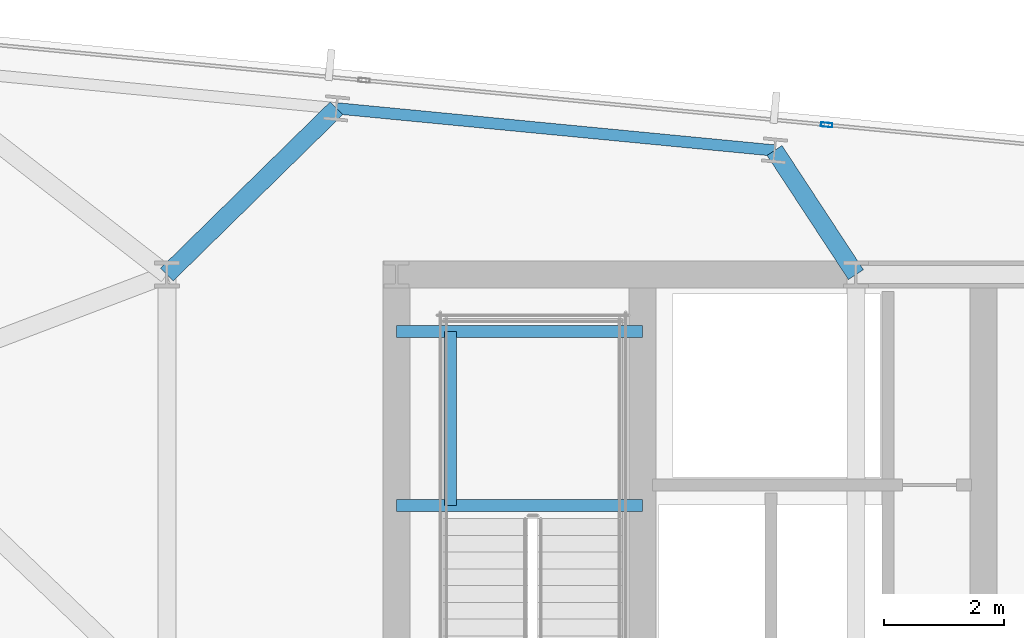
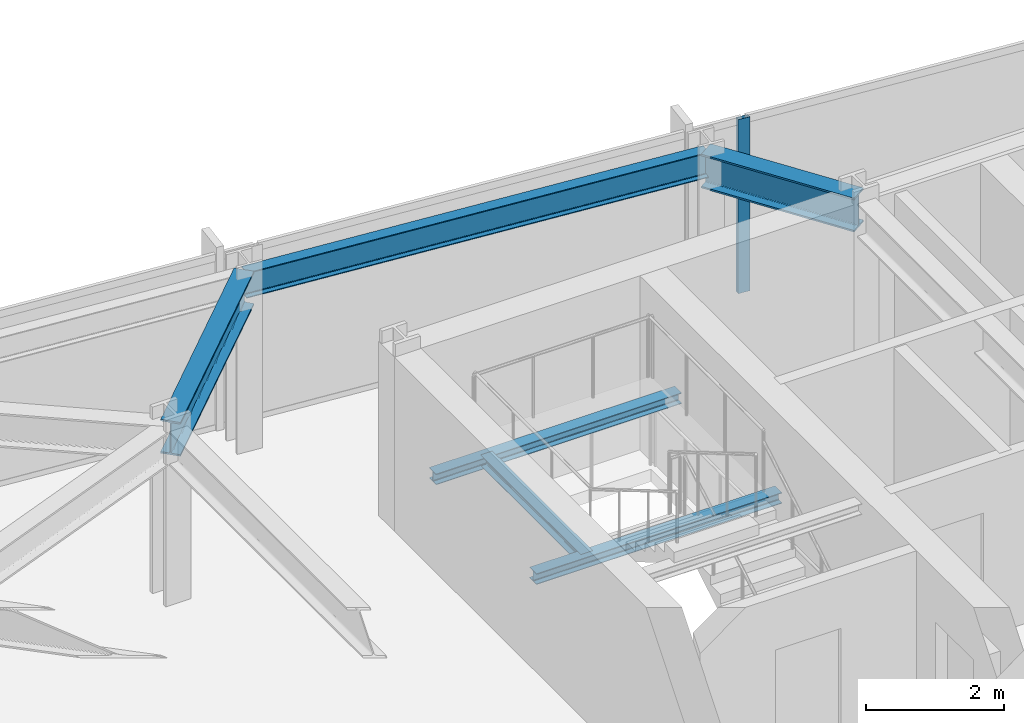
# One storey, part 24 of 37: 6 beams, 1 member, 1 element without a shape of its own.
"""IFC4 building model written with IfcOpenShell, lengths in metres."""

from ifc_helpers import new_model, si_unit, direction, frame, origin, origin_2d, place, context, subcontext, project, spatial, hollow_rectangle, i_section, extrude, material, material_profile, profile_set, type_object, element, aggregate, save


model = new_model("IFC4")

# Units and contexts
model_context = context("Model", 3, precision=1e-05, world=origin(), true_north=direction((0.0, 1.0)))
body_context = subcontext(model_context, "Body", "Model", "MODEL_VIEW")
ifc_project = project(units=[si_unit("LENGTHUNIT", "METRE"), si_unit("AREAUNIT", "SQUARE_METRE"), si_unit("VOLUMEUNIT", "CUBIC_METRE"), si_unit("PLANEANGLEUNIT", "RADIAN"), si_unit("MASSUNIT", "GRAM", prefix="KILO")], contexts=[model_context])

# Site, building, storey
site_placement = place(None, origin())
site = spatial("IfcSite", under=ifc_project, at=site_placement, CompositionType="ELEMENT")
building_placement = place(site_placement, origin())
building = spatial("IfcBuilding", under=site, at=building_placement, Name="Yelkora Congress Tower", CompositionType="ELEMENT")
storey_placement = place(building_placement, frame((0.0, 0.0, 162.199951171875)))
storey = spatial("IfcBuildingStorey", under=building, at=storey_placement, Name="L44", CompositionType="ELEMENT", Elevation=162.199951171875)

# Beams
ifc_material_1 = material(Name="Steel S355J2", Category="steel")
ifc_material_profile_1 = material_profile(ifc_material_1, i_section(OverallWidth=0.300048828125, OverallDepth=0.60009765625, WebThickness=0.015380859375, FlangeThickness=0.030029296875, FilletRadius=0.027099609375, at=origin_2d()), Name="HEB 600")
ifc_profile_set_1 = profile_set([ifc_material_profile_1], Name="Steel S355J2")
beam_type_1 = type_object("IfcBeamType", Name="BM-GIRD-HEB600", PredefinedType="BEAM", material=ifc_profile_set_1)
beam_1_placement = place(storey_placement, frame((22.035400390625, 48.980224609375, 2.780029296875), z_axis=(-0.714019806588, -0.700125500036, 0.0), x_axis=(0.700125500036, -0.714019806588, 0.0)))
element("IfcBeam", 1, at=beam_1_placement, inside=storey, type_object=beam_type_1, Name="L44 Primary Frame Girder N03", PredefinedType="BEAM", context=body_context, shape_type="SweptSolid", body=[
    extrude(i_section(OverallWidth=0.300048828125, OverallDepth=0.60009765625, WebThickness=0.015380859375, FlangeThickness=0.030029296875, FilletRadius=0.027099609375, at=origin_2d()), origin(), (0.0, 0.0, 1.0), 3.97119140625),
])
beam_2_placement = place(storey_placement, frame((29.358642578125, 48.275146484375, 2.780029296875), z_axis=(0.548510321976, -0.8361437835, 0.0), x_axis=(0.8361437835, 0.548510321976, 0.0)))
element("IfcBeam", 2, at=beam_2_placement, inside=storey, type_object=beam_type_1, Name="L44 Primary Frame Girder N04", PredefinedType="BEAM", context=body_context, shape_type="SweptSolid", body=[
    extrude(i_section(OverallWidth=0.300048828125, OverallDepth=0.60009765625, WebThickness=0.015380859375, FlangeThickness=0.030029296875, FilletRadius=0.027099609375, at=origin_2d()), origin(), (0.0, 0.0, 1.0), 2.48193359375),
])
ifc_material_profile_2 = material_profile(ifc_material_1, i_section(OverallWidth=0.199951171875, OverallDepth=0.18994140625, WebThickness=0.006591796875, FlangeThickness=0.010009765625, FilletRadius=0.01806640625, at=origin_2d()), Name="HEA 200")
ifc_profile_set_2 = profile_set([ifc_material_profile_2], Name="Steel S355J2")
beam_type_2 = type_object("IfcBeamType", Name="BM-LAND-HEA200", PredefinedType="BEAM", material=ifc_profile_set_2)
for number, where, z_axis, x_axis, name in (
    (3, (23.0400390625, 42.340087890625, 1.334716796875), (1.0, 0.0, 0.0), (0.0, 1.0, 0.0), "ST-01 L44 Landing Header Beam 1S"),
    (4, (23.0400390625, 45.25, 1.334716796875), (1.0, 0.0, 0.0), (0.0, 1.0, 0.0), "ST-01 L44 Landing Header Beam 1N"),
):
    element("IfcBeam", number, at=place(storey_placement, frame(where, z_axis=z_axis, x_axis=x_axis)), inside=storey, type_object=beam_type_2, Name=name, PredefinedType="BEAM", context=body_context, shape_type="SweptSolid", body=[
        extrude(i_section(OverallWidth=0.199951171875, OverallDepth=0.18994140625, WebThickness=0.006591796875, FlangeThickness=0.010009765625, FilletRadius=0.01806640625, at=origin_2d()), origin(), (0.0, 0.0, 1.0), 4.10986328125),
    ])
beam_3_placement = place(storey_placement, frame((23.93994140625, 42.340087890625, 1.334716796875), z_axis=(0.0, 1.0, 0.0), x_axis=(-1.0, 0.0, 0.0)))
element("IfcBeam", 5, at=beam_3_placement, inside=storey, type_object=beam_type_2, Name="ST-01 L44 Landing Trimmer Beam 1M", PredefinedType="BEAM", context=body_context, shape_type="SweptSolid", body=[
    extrude(i_section(OverallWidth=0.199951171875, OverallDepth=0.18994140625, WebThickness=0.006591796875, FlangeThickness=0.010009765625, FilletRadius=0.01806640625, at=origin_2d()), origin(), (0.0, 0.0, 1.0), 2.909912109375),
])
ifc_material_profile_3 = material_profile(ifc_material_1, i_section(OverallWidth=0.18994140625, OverallDepth=0.449951171875, WebThickness=0.009521484375, FlangeThickness=0.0146484375, FilletRadius=0.02099609375, at=origin_2d()), Name="IPE 450")
ifc_profile_set_3 = profile_set([ifc_material_profile_3], Name="Steel S355J2")
beam_type_3 = type_object("IfcBeamType", Name="BM-SPAN-IPE450", PredefinedType="SPANDREL", material=ifc_profile_set_3)
beam_4_placement = place(storey_placement, frame((29.358642578125, 48.275146484375, 2.85498046875), z_axis=(-0.995397104697, 0.095836339457, 0.0), x_axis=(-0.095836339457, -0.995397104697, 0.0)))
element("IfcBeam", 6, at=beam_4_placement, inside=storey, type_object=beam_type_3, Name="L44 Perimeter Beam 13", PredefinedType="SPANDREL", context=body_context, shape_type="SweptSolid", body=[
    extrude(i_section(OverallWidth=0.18994140625, OverallDepth=0.449951171875, WebThickness=0.009521484375, FlangeThickness=0.0146484375, FilletRadius=0.02099609375, at=origin_2d()), origin(), (0.0, 0.0, 1.0), 7.357177734375),
])

# Curtain wall, member
ifc_material_2 = material(Name="Anodised aluminium and insulated glass", Category="aluminium")
curtain_wall_type = type_object("IfcCurtainWallType", Name="CW-SYS-B3", PredefinedType="NOTDEFINED", material=ifc_material_2)
curtain_wall_placement = place(storey_placement, origin())
curtain_wall = element("IfcCurtainWall", 7, at=curtain_wall_placement, inside=storey, type_object=curtain_wall_type, Name="L44 Unitised Curtain Wall 10 (1)", PredefinedType="NOTDEFINED")
ifc_material_3 = material(Name="Anodised aluminium 6063-T6", Category="aluminium")
ifc_material_profile_4 = material_profile(ifc_material_3, hollow_rectangle(XDim=0.070068359375, YDim=0.18994140625, WallThickness=0.00390625, at=origin_2d()), Name="ALU 70x190x4")
ifc_profile_set_4 = profile_set([ifc_material_profile_4], Name="Anodised aluminium 6063-T6")
member_type = type_object("IfcMemberType", Name="MEM-ML-B3", PredefinedType="MULLION", material=ifc_profile_set_4)
member_placement = place(storey_placement, frame((30.230224609375, 48.70361328125, 0.0), z_axis=(0.0, 0.0, 1.0), x_axis=(0.095844761168, 0.995396293823, 0.0)))
member = element("IfcMember", 8, at=member_placement, type_object=member_type, Name="CW-B3 mullion 4", PredefinedType="MULLION", context=body_context, shape_type="SweptSolid", body=[
    extrude(hollow_rectangle(XDim=0.070068359375, YDim=0.18994140625, WallThickness=0.00390625, at=origin_2d()), origin(), (0.0, 0.0, 1.0), 3.080078125),
])
aggregate(curtain_wall, [member])

save(model, "model.ifc")
